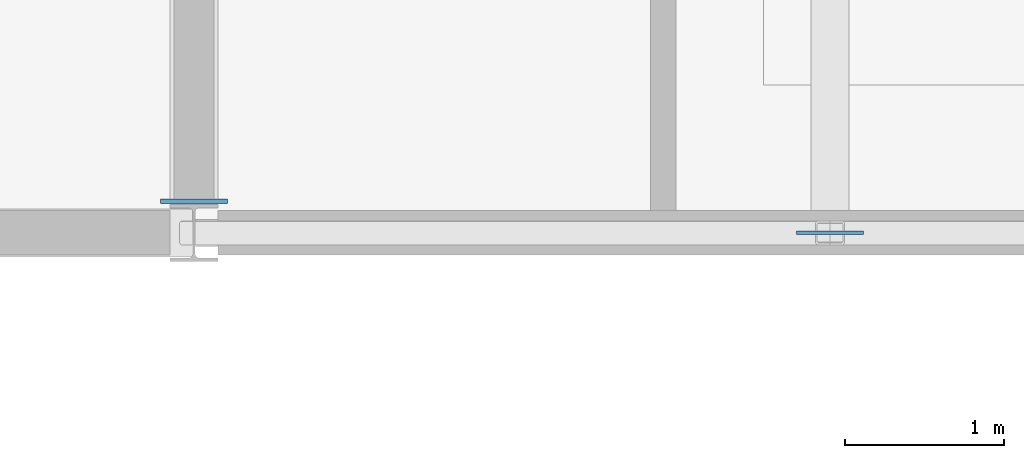
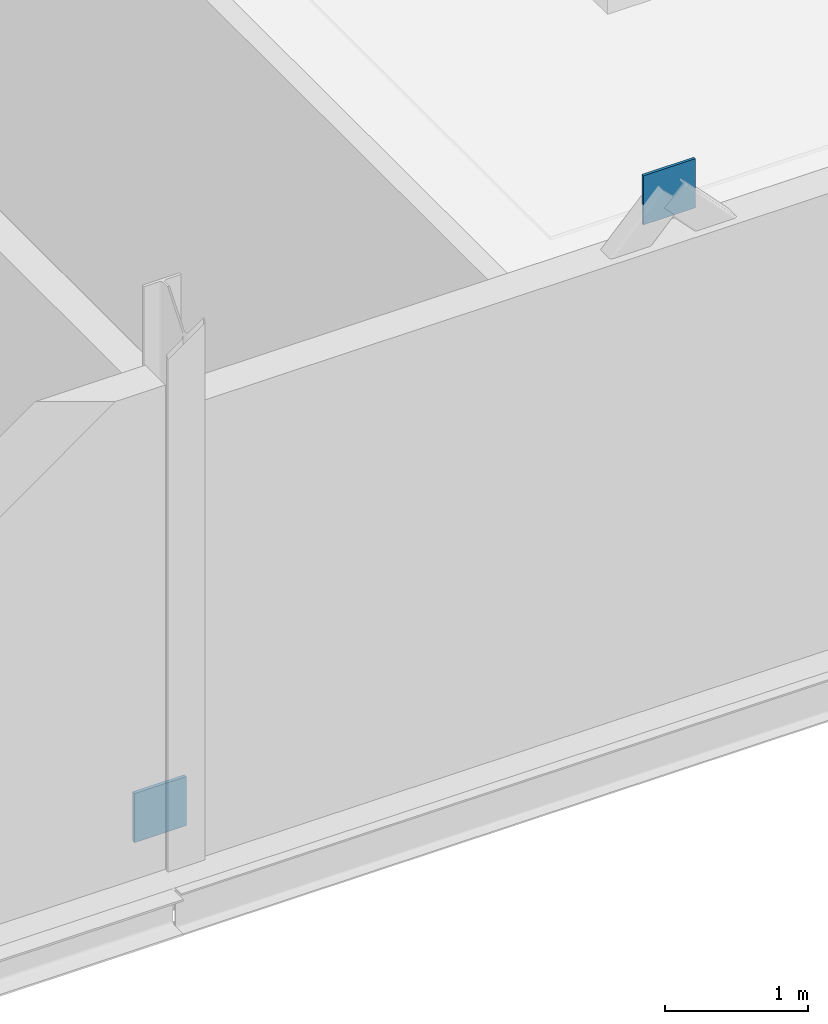
# One storey, part 83 of 147: 2 plates.
"""IFC4 building model written with IfcOpenShell, lengths in metres."""

import ifcopenshell
import ifcopenshell.guid

model = None  # the IFC model being written
_history = None  # IfcOwnerHistory: only IFC2X3 demands one
_inside = {}  # id of a spatial element -> (the spatial element, [elements in it])
_under = {}  # id of a project, library or spatial element -> (it, [spatial elements below it])
_declared = {}  # id of a project -> (the project, [libraries it declares])
_typed = {}  # id of a type object -> (the type object, [elements of that type])
_made_of = {}  # id of a material, layer set ... -> (it, [elements and type objects made of it])


def new_model(schema):
    """Start an empty IFC model of exactly this schema.

    Asked for "IFC4X3", IfcOpenShell would pick the latest addendum, in which some entities
    have other attributes; the version numbers below select the first issue.
    IFC2X3 requires an IfcOwnerHistory on every rooted entity: one is made here for all.
    """
    global model, _history
    if schema == "IFC4X3":
        model = ifcopenshell.file(schema_version=(4, 3, 0, 0))
    else:
        model = ifcopenshell.file(schema=schema)
    _inside.clear()
    _under.clear()
    _declared.clear()
    _typed.clear()
    _made_of.clear()
    _history = None
    if model.schema == "IFC2X3":
        org = make("IfcOrganization", Name="unknown")
        user = make(
            "IfcPersonAndOrganization",
            ThePerson=make("IfcPerson", FamilyName="unknown"),
            TheOrganization=org,
        )
        app = make(
            "IfcApplication",
            ApplicationDeveloper=org,
            Version="unknown",
            ApplicationFullName="unknown",
            ApplicationIdentifier="unknown",
        )
        _history = make(
            "IfcOwnerHistory",
            OwningUser=user,
            OwningApplication=app,
            ChangeAction="ADDED",
            CreationDate=0,
        )
    return model


def make(cls, **values):
    """One entity of the class cls with the attributes given. An attribute that is None is left unset."""
    return model.create_entity(
        cls, **{name: value for name, value in values.items() if value is not None}
    )


def rooted(cls, **values):
    """An entity with a GlobalId (a new one), such as an element, a storey or a relation."""
    return make(cls, GlobalId=ifcopenshell.guid.new(), OwnerHistory=_history, **values)


def si_unit(unit_type, name, prefix=None):
    """IfcSIUnit, for example si_unit("LENGTHUNIT", "METRE", prefix="MILLI")."""
    return make("IfcSIUnit", UnitType=unit_type, Prefix=prefix, Name=name)


def assignment(units):
    """IfcUnitAssignment: the units of a project."""
    return None if units is None else make("IfcUnitAssignment", Units=units)


def point(xyz):
    """IfcCartesianPoint."""
    return None if xyz is None else make("IfcCartesianPoint", Coordinates=xyz)


def direction(xyz):
    """IfcDirection."""
    return None if xyz is None else make("IfcDirection", DirectionRatios=xyz)


def frame(location, z_axis=None, x_axis=None):
    """IfcAxis2Placement3D, a coordinate frame: its origin and axes. An axis left out is left unset."""
    return make(
        "IfcAxis2Placement3D",
        Location=point(location),
        Axis=direction(z_axis),
        RefDirection=direction(x_axis),
    )


def frame_2d(location, x_axis=None):
    """IfcAxis2Placement2D, a coordinate frame in the plane: its origin and x axis."""
    return make(
        "IfcAxis2Placement2D", Location=point(location), RefDirection=direction(x_axis)
    )


def origin():
    """The frame at (0, 0, 0) with its axes left unset."""
    return frame((0.0, 0.0, 0.0))


def origin_2d():
    """The frame at (0, 0) in the plane with its x axis left unset."""
    return frame_2d((0.0, 0.0))


def place(relative_to, where):
    """IfcLocalPlacement: puts the frame where relative to a parent placement (None: the world)."""
    return make(
        "IfcLocalPlacement", PlacementRelTo=relative_to, RelativePlacement=where
    )


def context(
    kind, dimensions, precision=None, world=None, true_north=None, identifier=None
):
    """IfcGeometricRepresentationContext, for example the 3D "Model" context."""
    return make(
        "IfcGeometricRepresentationContext",
        ContextIdentifier=identifier,
        ContextType=kind,
        CoordinateSpaceDimension=dimensions,
        Precision=precision,
        WorldCoordinateSystem=world,
        TrueNorth=true_north,
    )


def subcontext(parent, identifier, kind, view, scale=None):
    """IfcGeometricRepresentationSubContext, for example "Body" below "Model"."""
    return make(
        "IfcGeometricRepresentationSubContext",
        ContextIdentifier=identifier,
        ContextType=kind,
        ParentContext=parent,
        TargetScale=scale,
        TargetView=view,
    )


def project(units=None, contexts=None):
    """IfcProject with its units and contexts."""
    return rooted(
        "IfcProject",
        Name="project",
        RepresentationContexts=contexts,
        UnitsInContext=assignment(units),
    )


def spatial(cls, under=None, at=None, **own):
    """A site, building, storey or space (cls), placed at a placement, below another one or the project."""
    s = rooted(cls, ObjectPlacement=at, **own)
    if under is not None:
        _under.setdefault(under.id(), (under, []))[1].append(s)
    return s


def profile(cls, at=None, kind="AREA", **sizes):
    """A parametric profile (cls). Its sizes go by their IFC names, for example OverallWidth=200.0."""
    return make(cls, ProfileType=kind, Position=at, **sizes)


def rectangle(**sizes):
    """IfcRectangleProfileDef."""
    return profile("IfcRectangleProfileDef", **sizes)


def extrude(swept, where, along, depth):
    """IfcExtrudedAreaSolid: the profile swept, set in the frame where, extruded along a direction by depth."""
    return make(
        "IfcExtrudedAreaSolid",
        SweptArea=swept,
        Position=where,
        ExtrudedDirection=direction(along),
        Depth=depth,
    )


def shape(context_of_items, identifier, shape_type, items):
    """IfcShapeRepresentation: the items that make up one representation, for example the "Body"."""
    return make(
        "IfcShapeRepresentation",
        ContextOfItems=context_of_items,
        RepresentationIdentifier=identifier,
        RepresentationType=shape_type,
        Items=items,
    )


def material(Name=None, Category=None):
    """IfcMaterial."""
    return make("IfcMaterial", Name=Name, Category=Category)


def layer(
    of_material, thickness, ventilated=None, Name=None, Category=None, Priority=None
):
    """IfcMaterialLayer: one layer of a wall or slab, of a material (None: an air gap)."""
    return make(
        "IfcMaterialLayer",
        Material=of_material,
        LayerThickness=thickness,
        IsVentilated=ventilated,
        Name=Name,
        Category=Category,
        Priority=Priority,
    )


def layer_set(layers, Name=None):
    """IfcMaterialLayerSet."""
    return make("IfcMaterialLayerSet", MaterialLayers=layers, LayerSetName=Name)


def made_of(thing, what):
    """Note that an element or type object is made of a material, layer set ...; save() writes the relation."""
    if what is not None:
        _made_of.setdefault(what.id(), (what, []))[1].append(thing)
    return thing


def type_object(cls, material=None, **own):
    """A type object (cls), such as IfcWallType, which elements share."""
    return made_of(rooted(cls, **own), material)


def element(
    cls,
    number,
    at=None,
    inside=None,
    cuts=None,
    type_object=None,
    material=None,
    context=None,
    identifier="Body",
    shape_type=None,
    held_by="IfcProductDefinitionShape",
    body=None,
    shapes=None,
    **own,
):
    """One element of the class cls, such as IfcWall. Its Tag is "e" and its number.

    at: its placement. inside: the storey or other place that contains it. cuts: it is an
    opening in that element (IfcRelVoidsElement). A single representation is given by context,
    identifier, shape_type and body (its items); several are given by shapes. held_by: the class
    of the entity that holds the representations. save() writes the other relations.
    """
    e = rooted(cls, Tag="e%d" % number, ObjectPlacement=at, **own)
    if body is not None:
        shapes = [shape(context, identifier, shape_type, body)]
    if shapes is not None:
        e.Representation = make(held_by, Representations=shapes)
    if inside is not None:
        _inside.setdefault(inside.id(), (inside, []))[1].append(e)
    if cuts is not None:
        rooted(
            "IfcRelVoidsElement", RelatingBuildingElement=cuts, RelatedOpeningElement=e
        )
    if type_object is not None:
        _typed.setdefault(type_object.id(), (type_object, []))[1].append(e)
    return made_of(e, material)


def aggregate(whole, parts):
    """IfcRelAggregates: a whole, such as a stair, and the parts it consists of."""
    return rooted("IfcRelAggregates", RelatingObject=whole, RelatedObjects=parts)


def save(model, path):
    """Write the relations noted so far, then the file.

    IfcRelAggregates (storeys below a building ...), IfcRelContainedInSpatialStructure (elements
    in a storey), IfcRelDefinesByType, IfcRelAssociatesMaterial and IfcRelDeclares: one each for
    every whole, place, type object, material and project.
    """
    for whole, parts in _under.values():
        aggregate(whole, parts)
    for where, things in _inside.values():
        rooted(
            "IfcRelContainedInSpatialStructure",
            RelatedElements=things,
            RelatingStructure=where,
        )
    for kind, things in _typed.values():
        rooted("IfcRelDefinesByType", RelatedObjects=things, RelatingType=kind)
    for what, things in _made_of.values():
        rooted("IfcRelAssociatesMaterial", RelatedObjects=things, RelatingMaterial=what)
    for by, libraries in _declared.values():
        rooted("IfcRelDeclares", RelatingContext=by, RelatedDefinitions=libraries)
    model.write(path)


model = new_model("IFC4")

# Units and contexts
model_context = context("Model", 3, precision=1e-05, world=origin(), true_north=direction((0.0, 1.0)))
body_context = subcontext(model_context, "Body", "Model", "MODEL_VIEW")
ifc_project = project(units=[si_unit("LENGTHUNIT", "METRE"), si_unit("AREAUNIT", "SQUARE_METRE"), si_unit("VOLUMEUNIT", "CUBIC_METRE"), si_unit("PLANEANGLEUNIT", "RADIAN"), si_unit("MASSUNIT", "GRAM", prefix="KILO")], contexts=[model_context])

# Site, building, storey
site_placement = place(None, origin())
site = spatial("IfcSite", under=ifc_project, at=site_placement, CompositionType="ELEMENT")
building_placement = place(site_placement, origin())
building = spatial("IfcBuilding", under=site, at=building_placement, Name="Khelvaren Railside Concert Hall", CompositionType="ELEMENT")
storey_placement = place(building_placement, frame((0.0, 0.0, 5.39990234375)))
storey = spatial("IfcBuildingStorey", under=building, at=storey_placement, Name="L01", CompositionType="ELEMENT", Elevation=5.39990234375)

# Plates
ifc_material = material(Name="Steel S355", Category="steel")
ifc_layer_1 = layer(ifc_material, 0.028076171875)
ifc_layer_set_1 = layer_set([ifc_layer_1], Name="Steel S355")
plate_type_1 = type_object("IfcPlateType", Name="GP71", PredefinedType="USERDEFINED", material=ifc_layer_set_1)
plate_1_placement = place(storey_placement, frame((152.0, 0.199951171875, 0.050048828125), z_axis=(0.0, 0.0, 1.0), x_axis=(1.0, 0.0, 0.0)))
element("IfcPlate", 1, at=plate_1_placement, inside=storey, type_object=plate_type_1, Name="Chevron Brace Base Gusset Plate V2-L01-152", ObjectType="GUSSET PLATE", PredefinedType="USERDEFINED", context=body_context, shape_type="SweptSolid", body=[
    extrude(rectangle(XDim=0.419921875, YDim=0.028076171875, at=origin_2d()), origin(), (0.0, 0.0, 1.0), 0.419921875),
])
ifc_layer_2 = layer(ifc_material, 0.02197265625)
ifc_layer_set_2 = layer_set([ifc_layer_2], Name="Steel S355")
plate_type_2 = type_object("IfcPlateType", Name="STP73", PredefinedType="USERDEFINED", material=ifc_layer_set_2)
plate_2_placement = place(storey_placement, frame((156.0, 0.0, 4.050048828125), z_axis=(0.0, 0.0, 1.0), x_axis=(1.0, 0.0, 0.0)))
element("IfcPlate", 2, at=plate_2_placement, inside=storey, type_object=plate_type_2, Name="V2 L01 Brace Apex Stiffener Plate 52", ObjectType="STIFFENER PLATE", PredefinedType="USERDEFINED", context=body_context, shape_type="SweptSolid", body=[
    extrude(rectangle(XDim=0.419921875, YDim=0.02197265625, at=origin_2d()), origin(), (0.0, 0.0, 1.0), 0.419921875),
])

save(model, "model.ifc")
